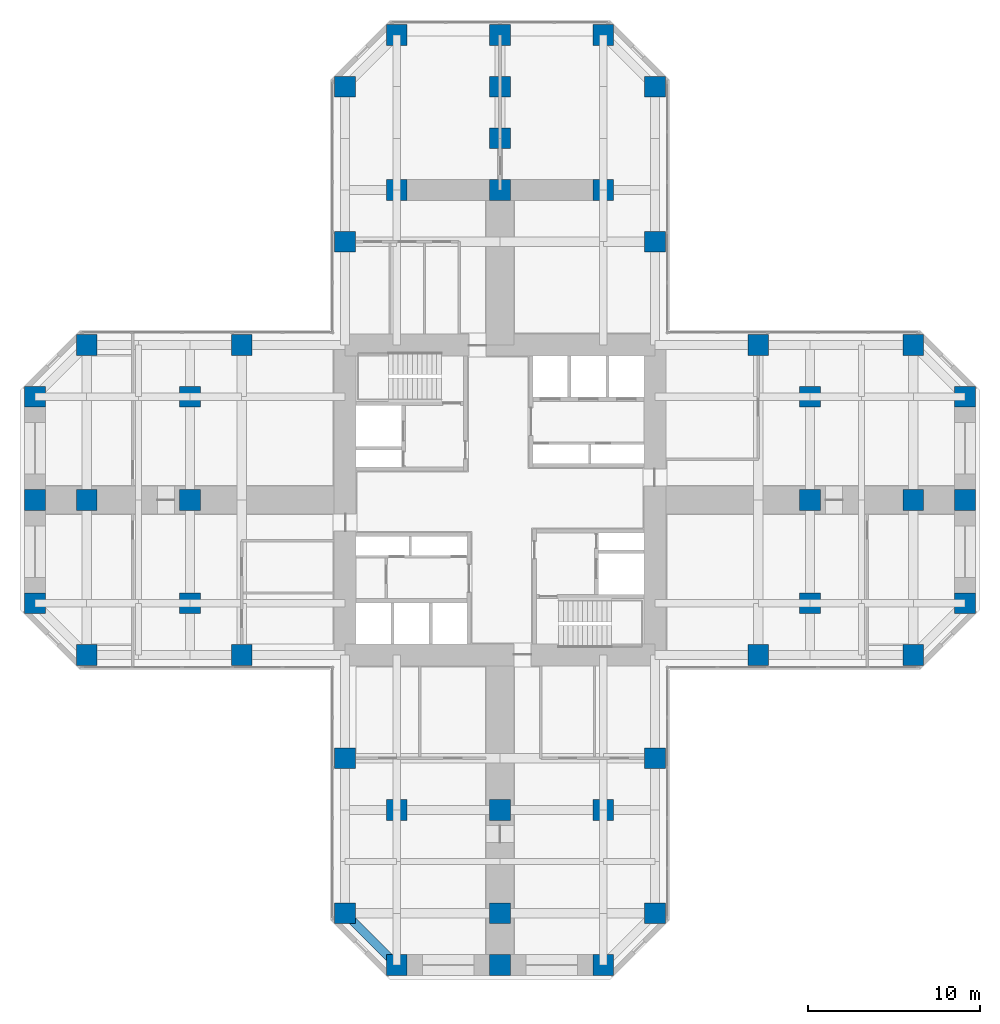
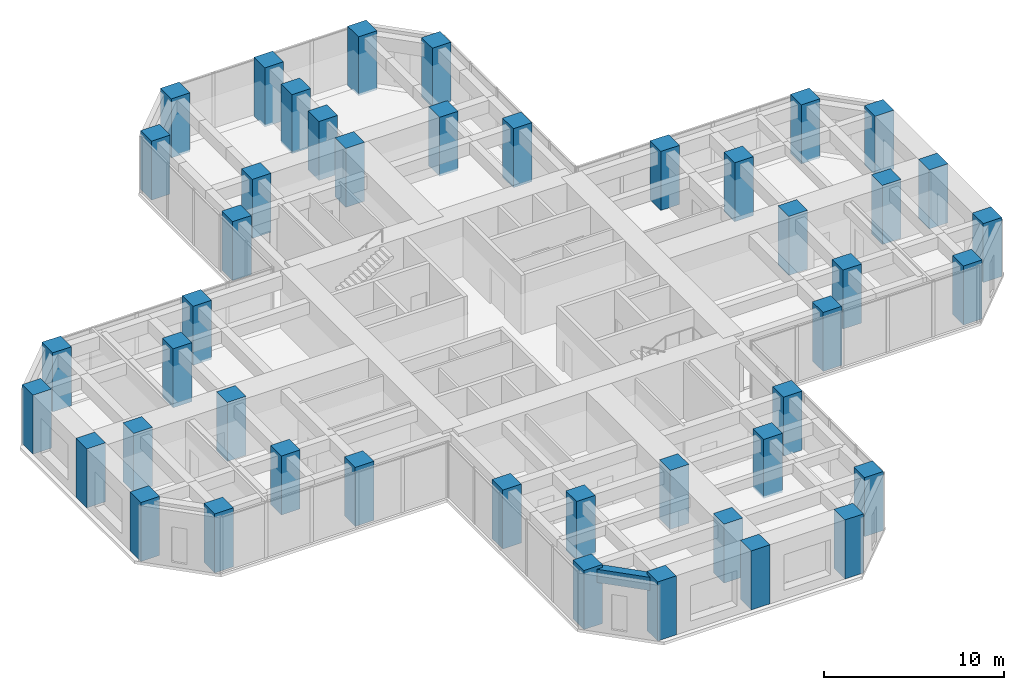
# One storey, part 1 of 12: 45 columns, 1 beam.
"""IFC4 building model written with IfcOpenShell, lengths in metres."""

from ifc_helpers import new_model, si_unit, direction, frame, origin, origin_2d, place, context, subcontext, project, spatial, rectangle, extrude, material, material_profile, profile_set, type_object, element, save


model = new_model("IFC4")

# Units and contexts
model_context = context("Model", 3, precision=1e-05, world=origin(), true_north=direction((0.0, 1.0)))
body_context = subcontext(model_context, "Body", "Model", "MODEL_VIEW")
ifc_project = project(units=[si_unit("LENGTHUNIT", "METRE"), si_unit("AREAUNIT", "SQUARE_METRE"), si_unit("VOLUMEUNIT", "CUBIC_METRE"), si_unit("PLANEANGLEUNIT", "RADIAN"), si_unit("MASSUNIT", "GRAM", prefix="KILO")], contexts=[model_context])

# Site, building, storey
site_placement = place(None, origin())
site = spatial("IfcSite", under=ifc_project, at=site_placement, CompositionType="ELEMENT")
building_placement = place(site_placement, origin())
building = spatial("IfcBuilding", under=site, at=building_placement, Name="Torre Cruceta", CompositionType="ELEMENT")
storey_placement = place(building_placement, frame((0.0, 0.0, 35.5)))
storey = spatial("IfcBuildingStorey", under=building, at=storey_placement, Name="L08", CompositionType="ELEMENT", Elevation=35.5)

# Columns
ifc_material_1 = material(Name="Concrete G60 (fck 60 MPa)", Category="concrete")
ifc_material_profile_1 = material_profile(ifc_material_1, rectangle(XDim=1.199951171875, YDim=1.199951171875, at=origin_2d()), Name="RC 1200X1200")
ifc_profile_set_1 = profile_set([ifc_material_profile_1], Name="Concrete G60 (fck 60 MPa)")
column_type = type_object("IfcColumnType", Name="COLUMN RC 1200X1200", PredefinedType="COLUMN", material=ifc_profile_set_1)
for number, where, z_axis, x_axis, name in (
    (1, (9.0, 15.0, 0.0), (0.0, 0.0, 1.0), (1.0, 0.0, 0.0), "C3 L08 N side"),
    (2, (9.0, 24.0, 0.0), (0.0, 0.0, 1.0), (1.0, 0.0, 0.0), "C3 L08 N chamfer"),
    (3, (-9.0, 15.0, 0.0), (0.0, 0.0, 1.0), (1.0, 0.0, 0.0), "C3 L08 N side"),
    (4, (-9.0, 24.0, 0.0), (0.0, 0.0, 1.0), (1.0, 0.0, 0.0), "C3 L08 N chamfer"),
    (5, (6.0, 27.0, 0.0), (0.0, 0.0, 1.0), (1.0, 0.0, 0.0), "C3 L08 N tip"),
    (6, (0.0, 27.0, 0.0), (0.0, 0.0, 1.0), (1.0, 0.0, 0.0), "C3 L08 N tip"),
    (7, (-6.0, 27.0, 0.0), (0.0, 0.0, 1.0), (1.0, 0.0, 0.0), "C3 L08 N tip"),
    (8, (15.0, -9.0, 0.0), (0.0, 0.0, 1.0), (1.0, 0.0, 0.0), "C3 L08 E side"),
    (9, (24.0, -9.0, 0.0), (0.0, 0.0, 1.0), (1.0, 0.0, 0.0), "C3 L08 E chamfer"),
    (10, (15.0, 9.0, 0.0), (0.0, 0.0, 1.0), (1.0, 0.0, 0.0), "C3 L08 E side"),
    (11, (24.0, 9.0, 0.0), (0.0, 0.0, 1.0), (1.0, 0.0, 0.0), "C3 L08 E chamfer"),
    (12, (27.0, -6.0, 0.0), (0.0, 0.0, 1.0), (1.0, 0.0, 0.0), "C3 L08 E tip"),
    (13, (27.0, 0.0, 0.0), (0.0, 0.0, 1.0), (1.0, 0.0, 0.0), "C3 L08 E tip"),
    (14, (27.0, 6.0, 0.0), (0.0, 0.0, 1.0), (1.0, 0.0, 0.0), "C3 L08 E tip"),
    (15, (-9.0, -15.0, 0.0), (0.0, 0.0, 1.0), (1.0, 0.0, 0.0), "C3 L08 S side"),
    (16, (-9.0, -24.0, 0.0), (0.0, 0.0, 1.0), (1.0, 0.0, 0.0), "C3 L08 S chamfer"),
    (17, (9.0, -15.0, 0.0), (0.0, 0.0, 1.0), (1.0, 0.0, 0.0), "C3 L08 S side"),
    (18, (9.0, -24.0, 0.0), (0.0, 0.0, 1.0), (1.0, 0.0, 0.0), "C3 L08 S chamfer"),
    (19, (-6.0, -27.0, 0.0), (0.0, 0.0, 1.0), (1.0, 0.0, 0.0), "C3 L08 S tip"),
    (20, (0.0, -27.0, 0.0), (0.0, 0.0, 1.0), (1.0, 0.0, 0.0), "C3 L08 S tip"),
    (21, (6.0, -27.0, 0.0), (0.0, 0.0, 1.0), (1.0, 0.0, 0.0), "C3 L08 S tip"),
    (22, (-15.0, 9.0, 0.0), (0.0, 0.0, 1.0), (1.0, 0.0, 0.0), "C3 L08 W side"),
    (23, (-24.0, 9.0, 0.0), (0.0, 0.0, 1.0), (1.0, 0.0, 0.0), "C3 L08 W chamfer"),
    (24, (-15.0, -9.0, 0.0), (0.0, 0.0, 1.0), (1.0, 0.0, 0.0), "C3 L08 W side"),
    (25, (-24.0, -9.0, 0.0), (0.0, 0.0, 1.0), (1.0, 0.0, 0.0), "C3 L08 W chamfer"),
    (26, (-27.0, 6.0, 0.0), (0.0, 0.0, 1.0), (1.0, 0.0, 0.0), "C3 L08 W tip"),
    (27, (-27.0, 0.0, 0.0), (0.0, 0.0, 1.0), (1.0, 0.0, 0.0), "C3 L08 W tip"),
    (28, (-27.0, -6.0, 0.0), (0.0, 0.0, 1.0), (1.0, 0.0, 0.0), "C3 L08 W tip"),
    (29, (6.0, 18.0, 0.0), (0.0, 0.0, 1.0), (1.0, 0.0, 0.0), "C3 L08 N interior"),
    (30, (0.0, 18.0, 0.0), (0.0, 0.0, 1.0), (1.0, 0.0, 0.0), "C3 L08 N interior"),
    (31, (-6.0, 18.0, 0.0), (0.0, 0.0, 1.0), (1.0, 0.0, 0.0), "C3 L08 N interior"),
    (32, (0.0, 21.0, 0.0), (0.0, 0.0, 1.0), (1.0, 0.0, 0.0), "C3 L08 N interior"),
    (33, (0.0, 24.0, 0.0), (0.0, 0.0, 1.0), (1.0, 0.0, 0.0), "C3 L08 N interior"),
    (34, (18.0, -6.0, 0.0), (0.0, 0.0, 1.0), (1.0, 0.0, 0.0), "C3 L08 E interior"),
    (35, (18.0, 0.0, 0.0), (0.0, 0.0, 1.0), (1.0, 0.0, 0.0), "C3 L08 E interior"),
    (36, (18.0, 6.0, 0.0), (0.0, 0.0, 1.0), (1.0, 0.0, 0.0), "C3 L08 E interior"),
    (37, (24.0, 0.0, 0.0), (0.0, 0.0, 1.0), (1.0, 0.0, 0.0), "C3 L08 E interior"),
    (38, (-6.0, -18.0, 0.0), (0.0, 0.0, 1.0), (1.0, 0.0, 0.0), "C3 L08 S interior"),
    (39, (0.0, -18.0, 0.0), (0.0, 0.0, 1.0), (1.0, 0.0, 0.0), "C3 L08 S interior"),
    (40, (6.0, -18.0, 0.0), (0.0, 0.0, 1.0), (1.0, 0.0, 0.0), "C3 L08 S interior"),
    (41, (0.0, -24.0, 0.0), (0.0, 0.0, 1.0), (1.0, 0.0, 0.0), "C3 L08 S interior"),
    (42, (-18.0, 6.0, 0.0), (0.0, 0.0, 1.0), (1.0, 0.0, 0.0), "C3 L08 W interior"),
    (43, (-18.0, 0.0, 0.0), (0.0, 0.0, 1.0), (1.0, 0.0, 0.0), "C3 L08 W interior"),
    (44, (-18.0, -6.0, 0.0), (0.0, 0.0, 1.0), (1.0, 0.0, 0.0), "C3 L08 W interior"),
    (45, (-24.0, 0.0, 0.0), (0.0, 0.0, 1.0), (1.0, 0.0, 0.0), "C3 L08 W interior"),
):
    element("IfcColumn", number, at=place(storey_placement, frame(where, z_axis=z_axis, x_axis=x_axis)), inside=storey, type_object=column_type, Name=name, PredefinedType="COLUMN", context=body_context, shape_type="SweptSolid", body=[
        extrude(rectangle(XDim=1.199951171875, YDim=1.199951171875, at=origin_2d()), origin(), (0.0, 0.0, 1.0), 4.0),
    ])

# Beam
ifc_material_2 = material(Name="Concrete G60 (fck 60 MPa)", Category="concrete")
ifc_material_profile_2 = material_profile(ifc_material_2, rectangle(XDim=0.5, YDim=0.89990234375, at=origin_2d()), Name="RC 500X900")
ifc_profile_set_2 = profile_set([ifc_material_profile_2], Name="Concrete G60 (fck 60 MPa)")
beam_type = type_object("IfcBeamType", Name="SPANDREL BEAM RC 500X900", PredefinedType="SPANDREL", material=ifc_profile_set_2)
beam_placement = place(storey_placement, frame((-9.0, -24.0, 3.35009765625), z_axis=(0.707106781187, -0.707106781187, 0.0), x_axis=(0.707106781187, 0.707106781187, 0.0)))
element("IfcBeam", 46, at=beam_placement, inside=storey, type_object=beam_type, Name="SB4 L08 S side- 5", PredefinedType="SPANDREL", context=body_context, shape_type="SweptSolid", body=[
    extrude(rectangle(XDim=0.5, YDim=0.89990234375, at=origin_2d()), origin(), (0.0, 0.0, 1.0), 4.24267578125),
])

save(model, "model.ifc")
